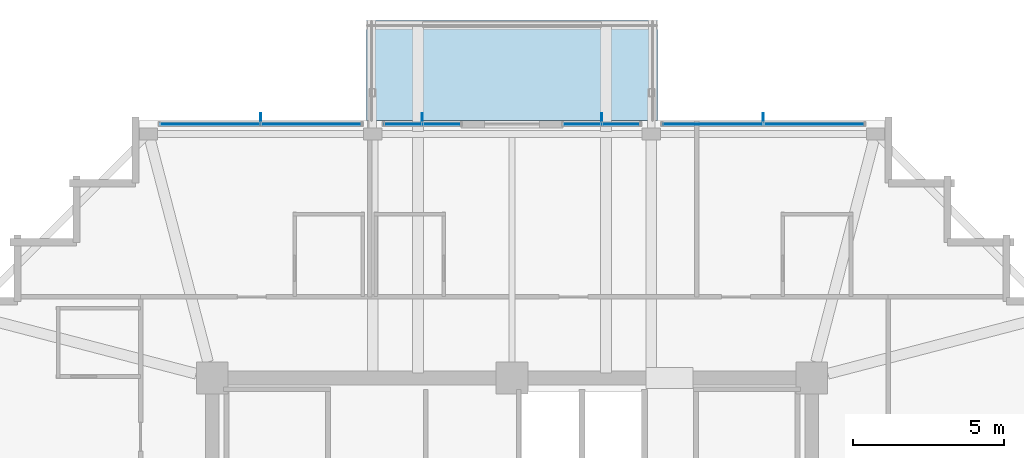
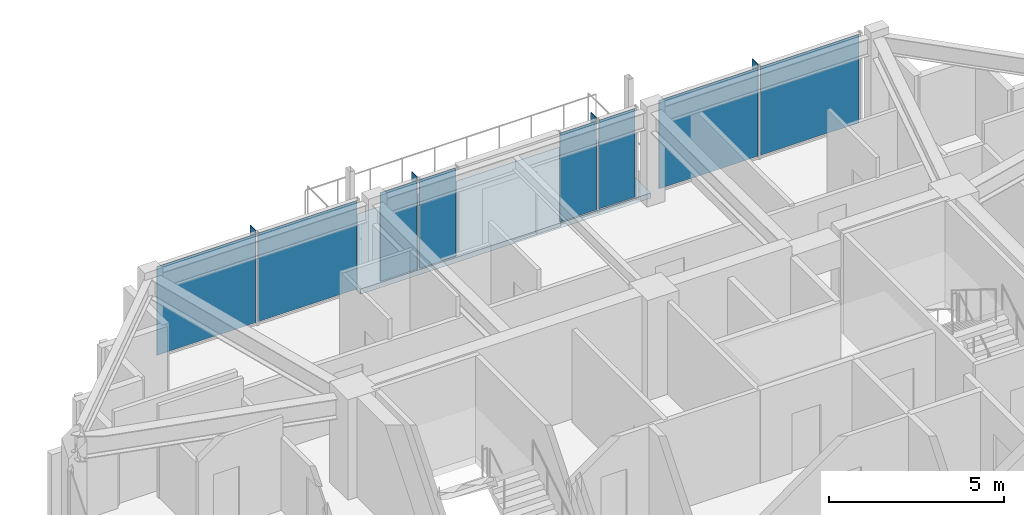
# One storey, part 25 of 31: 12 plates, 1 slab, 4 elements without a shape of their own.
"""IFC4 building model written with IfcOpenShell, lengths in metres."""

from ifc_helpers import new_model, si_unit, direction, frame, origin, origin_2d, place, context, subcontext, project, spatial, polyline, rectangle, outline, extrude, material, layer, layer_set, type_object, element, aggregate, save


model = new_model("IFC4")

# Units and contexts
model_context = context("Model", 3, precision=1e-05, world=origin(), true_north=direction((0.0, 1.0)))
body_context = subcontext(model_context, "Body", "Model", "MODEL_VIEW")
ifc_project = project(units=[si_unit("LENGTHUNIT", "METRE"), si_unit("AREAUNIT", "SQUARE_METRE"), si_unit("VOLUMEUNIT", "CUBIC_METRE"), si_unit("PLANEANGLEUNIT", "RADIAN"), si_unit("MASSUNIT", "GRAM", prefix="KILO")], contexts=[model_context])

# Site, building, storey
site_placement = place(None, origin())
site = spatial("IfcSite", under=ifc_project, at=site_placement, CompositionType="ELEMENT")
building_placement = place(site_placement, origin())
building = spatial("IfcBuilding", under=site, at=building_placement, Name="Kolvaren Belvedere", CompositionType="ELEMENT")
storey_placement = place(building_placement, frame((0.0, 0.0, 251.39990234375)))
storey = spatial("IfcBuildingStorey", under=building, at=storey_placement, Name="L73", CompositionType="ELEMENT", Elevation=251.39990234375)

# Curtain wall, plates
ifc_material_1 = material(Name="Anodised pale-metal aluminium AA 6063-T6", Category="aluminium")
curtain_wall_type = type_object("IfcCurtainWallType", Name="CW-Z5-HIGH", PredefinedType="NOTDEFINED", material=ifc_material_1)
curtain_wall_1_placement = place(storey_placement, origin())
curtain_wall_1 = element("IfcCurtainWall", 1, at=curtain_wall_1_placement, inside=storey, type_object=curtain_wall_type, Name="L73 Unitised Curtain Wall FCW-L73-N1-B1", PredefinedType="NOTDEFINED")
ifc_material_2 = material(Name="Low-iron triple insulated glass", Category="glass")
ifc_layer_1 = layer(ifc_material_2, 0.028076171875)
ifc_layer_set_1 = layer_set([ifc_layer_1], Name="Low-iron triple insulated glass")
plate_type_1 = type_object("IfcPlateType", Name="CW-PNL-VIS28", PredefinedType="CURTAIN_PANEL", material=ifc_layer_set_1)
plate_1_placement = place(storey_placement, frame((-9.972412109375, 18.280029296875, 0.080078125), z_axis=(0.0, 0.0, 1.0), x_axis=(1.0, 0.0, 0.0)))
plate_1 = element("IfcPlate", 2, at=plate_1_placement, type_object=plate_type_1, Name="FCW-L73-N1-B1 Vision Glazing Panel 1", PredefinedType="CURTAIN_PANEL", context=body_context, shape_type="SweptSolid", body=[
    extrude(rectangle(XDim=3.264892578125, YDim=0.028076171875, at=origin_2d()), origin(), (0.0, 0.0, 1.0), 3.090087890625),
])
plate_2_placement = place(storey_placement, frame((-6.62744140625, 18.280029296875, 0.080078125), z_axis=(0.0, 0.0, 1.0), x_axis=(1.0, 0.0, 0.0)))
plate_2 = element("IfcPlate", 3, at=plate_2_placement, type_object=plate_type_1, Name="FCW-L73-N1-B1 Vision Glazing Panel 2", PredefinedType="CURTAIN_PANEL", context=body_context, shape_type="SweptSolid", body=[
    extrude(rectangle(XDim=3.264892578125, YDim=0.028076171875, at=origin_2d()), origin(), (0.0, 0.0, 1.0), 3.090087890625),
])
aggregate(curtain_wall_1, [plate_1, plate_2])

curtain_wall_2_placement = place(storey_placement, origin())
curtain_wall_2 = element("IfcCurtainWall", 4, at=curtain_wall_2_placement, inside=storey, type_object=curtain_wall_type, Name="L73 Unitised Curtain Wall FCW-L73-N1-B2", PredefinedType="NOTDEFINED")
plate_3_placement = place(storey_placement, frame((-3.603759765625, 18.280029296875, 0.080078125), z_axis=(0.0, 0.0, 1.0), x_axis=(1.0, 0.0, 0.0)))
plate_3 = element("IfcPlate", 5, at=plate_3_placement, type_object=plate_type_1, Name="FCW-L73-N1-B2 Vision Glazing Panel 1", PredefinedType="CURTAIN_PANEL", context=body_context, shape_type="SweptSolid", body=[
    extrude(rectangle(XDim=1.202392578125, YDim=0.028076171875, at=origin_2d()), origin(), (0.0, 0.0, 1.0), 3.090087890625),
])
plate_4_placement = place(storey_placement, frame((-2.3212890625, 18.280029296875, 0.080078125), z_axis=(0.0, 0.0, 1.0), x_axis=(1.0, 0.0, 0.0)))
plate_4 = element("IfcPlate", 6, at=plate_4_placement, type_object=plate_type_1, Name="FCW-L73-N1-B2 Vision Glazing Panel 2", PredefinedType="CURTAIN_PANEL", context=body_context, shape_type="SweptSolid", body=[
    extrude(rectangle(XDim=1.202392578125, YDim=0.028076171875, at=origin_2d()), origin(), (0.0, 0.0, 1.0), 3.090087890625),
])
aggregate(curtain_wall_2, [plate_3, plate_4])

curtain_wall_3_placement = place(storey_placement, origin())
curtain_wall_3 = element("IfcCurtainWall", 7, at=curtain_wall_3_placement, inside=storey, type_object=curtain_wall_type, Name="L73 Unitised Curtain Wall FCW-L73-N2-B1", PredefinedType="NOTDEFINED")
plate_5_placement = place(storey_placement, frame((2.3212890625, 18.280029296875, 0.080078125), z_axis=(0.0, 0.0, 1.0), x_axis=(1.0, 0.0, 0.0)))
plate_5 = element("IfcPlate", 8, at=plate_5_placement, type_object=plate_type_1, Name="FCW-L73-N2-B1 Vision Glazing Panel 1", PredefinedType="CURTAIN_PANEL", context=body_context, shape_type="SweptSolid", body=[
    extrude(rectangle(XDim=1.202392578125, YDim=0.028076171875, at=origin_2d()), origin(), (0.0, 0.0, 1.0), 3.090087890625),
])
plate_6_placement = place(storey_placement, frame((3.603759765625, 18.280029296875, 0.080078125), z_axis=(0.0, 0.0, 1.0), x_axis=(1.0, 0.0, 0.0)))
plate_6 = element("IfcPlate", 9, at=plate_6_placement, type_object=plate_type_1, Name="FCW-L73-N2-B1 Vision Glazing Panel 2", PredefinedType="CURTAIN_PANEL", context=body_context, shape_type="SweptSolid", body=[
    extrude(rectangle(XDim=1.202392578125, YDim=0.028076171875, at=origin_2d()), origin(), (0.0, 0.0, 1.0), 3.090087890625),
])
aggregate(curtain_wall_3, [plate_5, plate_6])

curtain_wall_4_placement = place(storey_placement, origin())
curtain_wall_4 = element("IfcCurtainWall", 10, at=curtain_wall_4_placement, inside=storey, type_object=curtain_wall_type, Name="L73 Unitised Curtain Wall FCW-L73-N2-B2", PredefinedType="NOTDEFINED")
plate_7_placement = place(storey_placement, frame((6.62744140625, 18.280029296875, 0.080078125), z_axis=(0.0, 0.0, 1.0), x_axis=(1.0, 0.0, 0.0)))
plate_7 = element("IfcPlate", 11, at=plate_7_placement, type_object=plate_type_1, Name="FCW-L73-N2-B2 Vision Glazing Panel 1", PredefinedType="CURTAIN_PANEL", context=body_context, shape_type="SweptSolid", body=[
    extrude(rectangle(XDim=3.264892578125, YDim=0.028076171875, at=origin_2d()), origin(), (0.0, 0.0, 1.0), 3.090087890625),
])
plate_8_placement = place(storey_placement, frame((9.972412109375, 18.280029296875, 0.080078125), z_axis=(0.0, 0.0, 1.0), x_axis=(1.0, 0.0, 0.0)))
plate_8 = element("IfcPlate", 12, at=plate_8_placement, type_object=plate_type_1, Name="FCW-L73-N2-B2 Vision Glazing Panel 2", PredefinedType="CURTAIN_PANEL", context=body_context, shape_type="SweptSolid", body=[
    extrude(rectangle(XDim=3.264892578125, YDim=0.028076171875, at=origin_2d()), origin(), (0.0, 0.0, 1.0), 3.090087890625),
])
aggregate(curtain_wall_4, [plate_7, plate_8])

# Plates
ifc_material_3 = material(Name="Anodised pale-metal aluminium AA 6063-T6", Category="aluminium")
ifc_layer_2 = layer(ifc_material_3, 0.030029296875)
ifc_layer_set_2 = layer_set([ifc_layer_2], Name="Anodised pale-metal aluminium AA 6063-T6")
plate_type_2 = type_object("IfcPlateType", Name="FIN-VERT-300", PredefinedType="USERDEFINED", material=ifc_layer_set_2)
for number, where, z_axis, x_axis, name in (
    (13, (-8.300048828125, 18.489990234375, 0.0), (0.0, 0.0, 1.0), (0.0, 1.0, 0.0), "L73 Pale-Metal Vertical Shading Fin FCW-L73-N1-B1-1"),
    (14, (-2.96240234375, 18.489990234375, 0.0), (0.0, 0.0, 1.0), (0.0, 1.0, 0.0), "L73 Pale-Metal Vertical Shading Fin FCW-L73-N1-B2-1"),
    (15, (2.96240234375, 18.489990234375, 0.0), (0.0, 0.0, 1.0), (0.0, 1.0, 0.0), "L73 Pale-Metal Vertical Shading Fin FCW-L73-N2-B1-1"),
    (16, (8.300048828125, 18.489990234375, 0.0), (0.0, 0.0, 1.0), (0.0, 1.0, 0.0), "L73 Pale-Metal Vertical Shading Fin FCW-L73-N2-B2-1"),
):
    element("IfcPlate", number, at=place(storey_placement, frame(where, z_axis=z_axis, x_axis=x_axis)), inside=storey, type_object=plate_type_2, Name=name, ObjectType="VERTICAL FIN", PredefinedType="USERDEFINED", context=body_context, shape_type="SweptSolid", body=[
        extrude(rectangle(XDim=0.300048828125, YDim=0.030029296875, at=origin_2d()), origin(), (0.0, 0.0, 1.0), 3.25),
    ])

# Slab
ifc_material_4 = material(Name="Concrete C50/60", Category="concrete")
ifc_layer_3 = layer(ifc_material_4, 0.179931640625)
ifc_layer_set_3 = layer_set([ifc_layer_3], Name="Concrete C50/60")
slab_type = type_object("IfcSlabType", Name="SL-BAL-180", PredefinedType="FLOOR", material=ifc_layer_set_3)
slab_placement = place(storey_placement, frame((0.0, 0.0, -0.25)))
element("IfcSlab", 17, at=slab_placement, inside=storey, type_object=slab_type, Name="L73 Planted Sky Terrace SPIRAL-12-N", PredefinedType="FLOOR", context=body_context, shape_type="SweptSolid", body=[
    extrude(outline(polyline([(-4.800048828125, 18.39990234375), (4.800048828125, 18.39990234375), (4.800048828125, 21.699951171875), (-4.800048828125, 21.699951171875), (-4.800048828125, 18.39990234375)])), origin(), (0.0, 0.0, 1.0), 0.18017578125),
])

save(model, "model.ifc")
